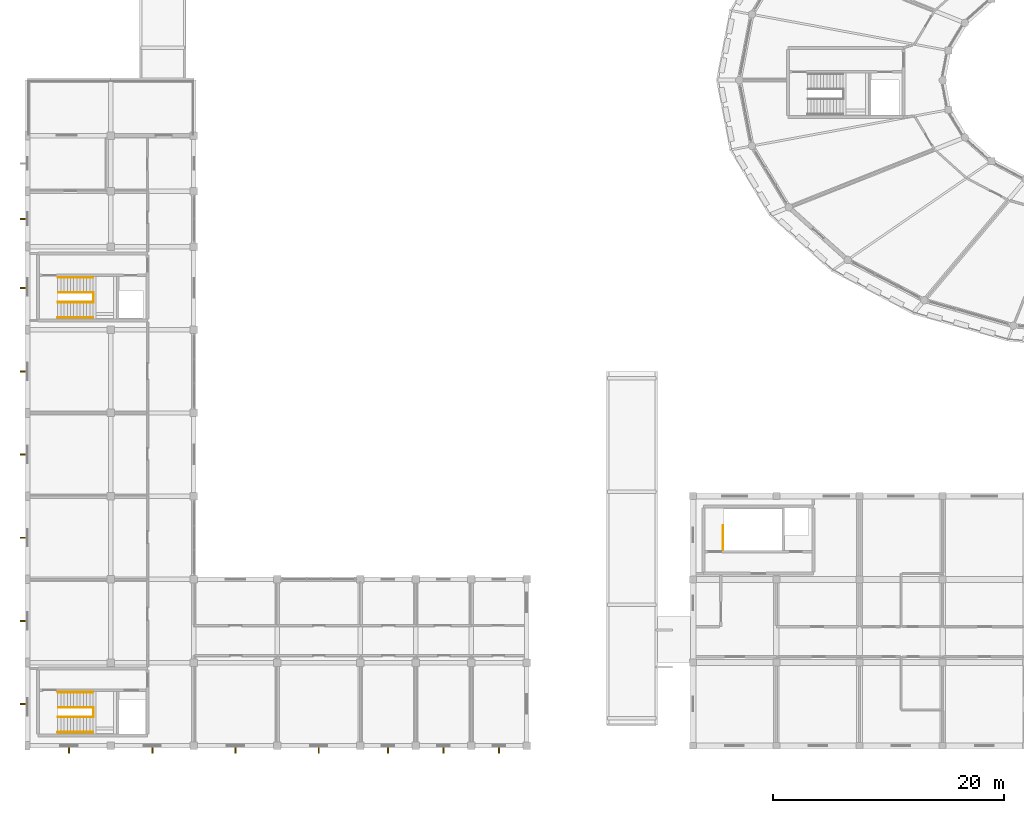
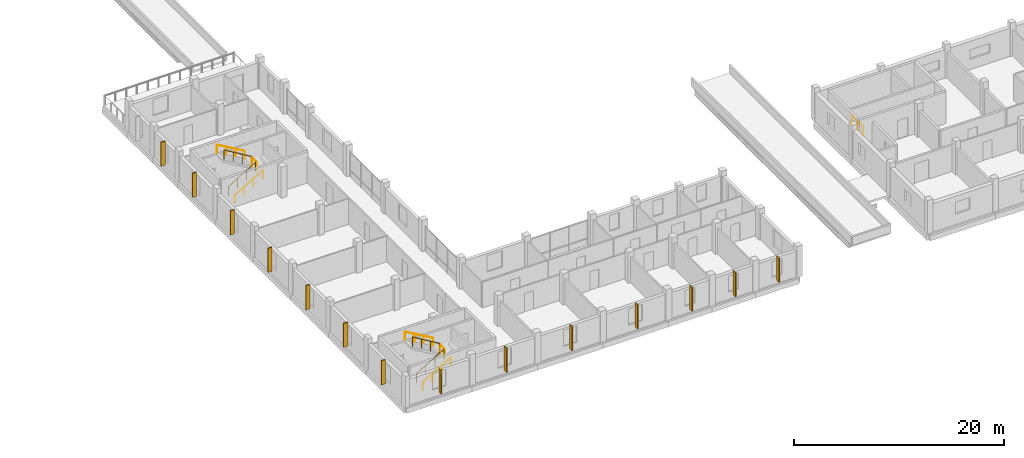
# One storey, part 86 of 93: 14 shading devices, 11 railings.
"""IFC4 building model written with IfcOpenShell, lengths in metres."""

import ifcopenshell
import ifcopenshell.guid

model = None  # the IFC model being written
_history = None  # IfcOwnerHistory: only IFC2X3 demands one
_inside = {}  # id of a spatial element -> (the spatial element, [elements in it])
_under = {}  # id of a project, library or spatial element -> (it, [spatial elements below it])
_declared = {}  # id of a project -> (the project, [libraries it declares])
_typed = {}  # id of a type object -> (the type object, [elements of that type])
_made_of = {}  # id of a material, layer set ... -> (it, [elements and type objects made of it])


def new_model(schema):
    """Start an empty IFC model of exactly this schema.

    Asked for "IFC4X3", IfcOpenShell would pick the latest addendum, in which some entities
    have other attributes; the version numbers below select the first issue.
    IFC2X3 requires an IfcOwnerHistory on every rooted entity: one is made here for all.
    """
    global model, _history
    if schema == "IFC4X3":
        model = ifcopenshell.file(schema_version=(4, 3, 0, 0))
    else:
        model = ifcopenshell.file(schema=schema)
    _inside.clear()
    _under.clear()
    _declared.clear()
    _typed.clear()
    _made_of.clear()
    _history = None
    if model.schema == "IFC2X3":
        org = make("IfcOrganization", Name="unknown")
        user = make(
            "IfcPersonAndOrganization",
            ThePerson=make("IfcPerson", FamilyName="unknown"),
            TheOrganization=org,
        )
        app = make(
            "IfcApplication",
            ApplicationDeveloper=org,
            Version="unknown",
            ApplicationFullName="unknown",
            ApplicationIdentifier="unknown",
        )
        _history = make(
            "IfcOwnerHistory",
            OwningUser=user,
            OwningApplication=app,
            ChangeAction="ADDED",
            CreationDate=0,
        )
    return model


def make(cls, **values):
    """One entity of the class cls with the attributes given. An attribute that is None is left unset."""
    return model.create_entity(
        cls, **{name: value for name, value in values.items() if value is not None}
    )


def rooted(cls, **values):
    """An entity with a GlobalId (a new one), such as an element, a storey or a relation."""
    return make(cls, GlobalId=ifcopenshell.guid.new(), OwnerHistory=_history, **values)


def si_unit(unit_type, name, prefix=None):
    """IfcSIUnit, for example si_unit("LENGTHUNIT", "METRE", prefix="MILLI")."""
    return make("IfcSIUnit", UnitType=unit_type, Prefix=prefix, Name=name)


def assignment(units):
    """IfcUnitAssignment: the units of a project."""
    return None if units is None else make("IfcUnitAssignment", Units=units)


def point(xyz):
    """IfcCartesianPoint."""
    return None if xyz is None else make("IfcCartesianPoint", Coordinates=xyz)


def direction(xyz):
    """IfcDirection."""
    return None if xyz is None else make("IfcDirection", DirectionRatios=xyz)


def frame(location, z_axis=None, x_axis=None):
    """IfcAxis2Placement3D, a coordinate frame: its origin and axes. An axis left out is left unset."""
    return make(
        "IfcAxis2Placement3D",
        Location=point(location),
        Axis=direction(z_axis),
        RefDirection=direction(x_axis),
    )


def frame_2d(location, x_axis=None):
    """IfcAxis2Placement2D, a coordinate frame in the plane: its origin and x axis."""
    return make(
        "IfcAxis2Placement2D", Location=point(location), RefDirection=direction(x_axis)
    )


def origin():
    """The frame at (0, 0, 0) with its axes left unset."""
    return frame((0.0, 0.0, 0.0))


def origin_2d():
    """The frame at (0, 0) in the plane with its x axis left unset."""
    return frame_2d((0.0, 0.0))


def place(relative_to, where):
    """IfcLocalPlacement: puts the frame where relative to a parent placement (None: the world)."""
    return make(
        "IfcLocalPlacement", PlacementRelTo=relative_to, RelativePlacement=where
    )


def context(
    kind, dimensions, precision=None, world=None, true_north=None, identifier=None
):
    """IfcGeometricRepresentationContext, for example the 3D "Model" context."""
    return make(
        "IfcGeometricRepresentationContext",
        ContextIdentifier=identifier,
        ContextType=kind,
        CoordinateSpaceDimension=dimensions,
        Precision=precision,
        WorldCoordinateSystem=world,
        TrueNorth=true_north,
    )


def subcontext(parent, identifier, kind, view, scale=None):
    """IfcGeometricRepresentationSubContext, for example "Body" below "Model"."""
    return make(
        "IfcGeometricRepresentationSubContext",
        ContextIdentifier=identifier,
        ContextType=kind,
        ParentContext=parent,
        TargetScale=scale,
        TargetView=view,
    )


def project(units=None, contexts=None):
    """IfcProject with its units and contexts."""
    return rooted(
        "IfcProject",
        Name="project",
        RepresentationContexts=contexts,
        UnitsInContext=assignment(units),
    )


def spatial(cls, under=None, at=None, **own):
    """A site, building, storey or space (cls), placed at a placement, below another one or the project."""
    s = rooted(cls, ObjectPlacement=at, **own)
    if under is not None:
        _under.setdefault(under.id(), (under, []))[1].append(s)
    return s


def profile(cls, at=None, kind="AREA", **sizes):
    """A parametric profile (cls). Its sizes go by their IFC names, for example OverallWidth=200.0."""
    return make(cls, ProfileType=kind, Position=at, **sizes)


def rectangle(**sizes):
    """IfcRectangleProfileDef."""
    return profile("IfcRectangleProfileDef", **sizes)


def circle(**sizes):
    """IfcCircleProfileDef."""
    return profile("IfcCircleProfileDef", **sizes)


def extrude(swept, where, along, depth):
    """IfcExtrudedAreaSolid: the profile swept, set in the frame where, extruded along a direction by depth."""
    return make(
        "IfcExtrudedAreaSolid",
        SweptArea=swept,
        Position=where,
        ExtrudedDirection=direction(along),
        Depth=depth,
    )


def shape(context_of_items, identifier, shape_type, items):
    """IfcShapeRepresentation: the items that make up one representation, for example the "Body"."""
    return make(
        "IfcShapeRepresentation",
        ContextOfItems=context_of_items,
        RepresentationIdentifier=identifier,
        RepresentationType=shape_type,
        Items=items,
    )


def material(Name=None, Category=None):
    """IfcMaterial."""
    return make("IfcMaterial", Name=Name, Category=Category)


def made_of(thing, what):
    """Note that an element or type object is made of a material, layer set ...; save() writes the relation."""
    if what is not None:
        _made_of.setdefault(what.id(), (what, []))[1].append(thing)
    return thing


def type_object(cls, material=None, **own):
    """A type object (cls), such as IfcWallType, which elements share."""
    return made_of(rooted(cls, **own), material)


def element(
    cls,
    number,
    at=None,
    inside=None,
    cuts=None,
    type_object=None,
    material=None,
    context=None,
    identifier="Body",
    shape_type=None,
    held_by="IfcProductDefinitionShape",
    body=None,
    shapes=None,
    **own,
):
    """One element of the class cls, such as IfcWall. Its Tag is "e" and its number.

    at: its placement. inside: the storey or other place that contains it. cuts: it is an
    opening in that element (IfcRelVoidsElement). A single representation is given by context,
    identifier, shape_type and body (its items); several are given by shapes. held_by: the class
    of the entity that holds the representations. save() writes the other relations.
    """
    e = rooted(cls, Tag="e%d" % number, ObjectPlacement=at, **own)
    if body is not None:
        shapes = [shape(context, identifier, shape_type, body)]
    if shapes is not None:
        e.Representation = make(held_by, Representations=shapes)
    if inside is not None:
        _inside.setdefault(inside.id(), (inside, []))[1].append(e)
    if cuts is not None:
        rooted(
            "IfcRelVoidsElement", RelatingBuildingElement=cuts, RelatedOpeningElement=e
        )
    if type_object is not None:
        _typed.setdefault(type_object.id(), (type_object, []))[1].append(e)
    return made_of(e, material)


def aggregate(whole, parts):
    """IfcRelAggregates: a whole, such as a stair, and the parts it consists of."""
    return rooted("IfcRelAggregates", RelatingObject=whole, RelatedObjects=parts)


def save(model, path):
    """Write the relations noted so far, then the file.

    IfcRelAggregates (storeys below a building ...), IfcRelContainedInSpatialStructure (elements
    in a storey), IfcRelDefinesByType, IfcRelAssociatesMaterial and IfcRelDeclares: one each for
    every whole, place, type object, material and project.
    """
    for whole, parts in _under.values():
        aggregate(whole, parts)
    for where, things in _inside.values():
        rooted(
            "IfcRelContainedInSpatialStructure",
            RelatedElements=things,
            RelatingStructure=where,
        )
    for kind, things in _typed.values():
        rooted("IfcRelDefinesByType", RelatedObjects=things, RelatingType=kind)
    for what, things in _made_of.values():
        rooted("IfcRelAssociatesMaterial", RelatedObjects=things, RelatingMaterial=what)
    for by, libraries in _declared.values():
        rooted("IfcRelDeclares", RelatingContext=by, RelatedDefinitions=libraries)
    model.write(path)


model = new_model("IFC4")

# Units and contexts
model_context = context("Model", 3, precision=1e-05, world=origin(), true_north=direction((0.0, 1.0)))
body_context = subcontext(model_context, "Body", "Model", "MODEL_VIEW")
ifc_project = project(units=[si_unit("LENGTHUNIT", "METRE"), si_unit("AREAUNIT", "SQUARE_METRE"), si_unit("VOLUMEUNIT", "CUBIC_METRE"), si_unit("PLANEANGLEUNIT", "RADIAN"), si_unit("MASSUNIT", "GRAM", prefix="KILO")], contexts=[model_context])

# Site, building, storey
site_placement = place(None, origin())
site = spatial("IfcSite", under=ifc_project, at=site_placement, CompositionType="ELEMENT")
building_placement = place(site_placement, origin())
building = spatial("IfcBuilding", under=site, at=building_placement, Name="Zornivar Specialist Clinic", CompositionType="ELEMENT")
storey_placement = place(building_placement, frame((0.0, 0.0, 8.39990234375)))
storey = spatial("IfcBuildingStorey", under=building, at=storey_placement, Name="L02", CompositionType="ELEMENT", Elevation=8.39990234375)

# Railings
ifc_material_1 = material(Name="Brushed Stainless Steel Stair Guardrail", Category="steel")
railing_type_1 = type_object("IfcRailingType", Name="GRD-INT-STAIR-1100", PredefinedType="GUARDRAIL", material=ifc_material_1)
railing_1_placement = place(storey_placement, frame((2.639892578125, 2.47998046875, 0.162109375)))
element("IfcRailing", 1, at=railing_1_placement, inside=storey, type_object=railing_type_1, Name="stair:C1:L02:grd1", PredefinedType="GUARDRAIL", context=body_context, shape_type="SweptSolid", body=[
    extrude(circle(Radius=0.02392578125, at=origin_2d()), frame((0.0, 0.0, 1.076171875), z_axis=(0.858994273335, 0.0, 0.511985193514), x_axis=(0.0, 1.0, 0.0)), (0.0, 0.0, 1.0), 3.492431640625),
    extrude(circle(Radius=0.02099609375, at=origin_2d()), origin(), (0.0, 0.0, 1.0), 1.052001953125),
    extrude(circle(Radius=0.02099609375, at=origin_2d()), frame((1.0, 0.0, 0.595947265625)), (0.0, 0.0, 1.0), 1.052001953125),
    extrude(circle(Radius=0.02099609375, at=origin_2d()), frame((2.0, 0.0, 1.192138671875)), (0.0, 0.0, 1.0), 1.052001953125),
    extrude(circle(Radius=0.02099609375, at=origin_2d()), frame((3.0, 0.0, 1.7880859375)), (0.0, 0.0, 1.0), 1.052001953125),
])
railing_2_placement = place(storey_placement, frame((5.639892578125, 3.320068359375, 2.112060546875)))
element("IfcRailing", 2, at=railing_2_placement, inside=storey, type_object=railing_type_1, Name="stair:C1:L02:grd2", PredefinedType="GUARDRAIL", context=body_context, shape_type="SweptSolid", body=[
    extrude(circle(Radius=0.02392578125, at=origin_2d()), frame((0.0, 0.0, 1.076171875), z_axis=(-0.857480528274, 0.0, 0.51451641726), x_axis=(0.0, -1.0, 0.0)), (0.0, 0.0, 1.0), 3.475341796875),
    extrude(circle(Radius=0.02099609375, at=origin_2d()), origin(), (0.0, 0.0, 1.0), 1.052001953125),
    extrude(circle(Radius=0.02099609375, at=origin_2d()), frame((-0.993408203125, 0.0, 0.595947265625)), (0.0, 0.0, 1.0), 1.052001953125),
    extrude(circle(Radius=0.02099609375, at=origin_2d()), frame((-1.986572265625, 0.0, 1.192138671875)), (0.0, 0.0, 1.0), 1.052001953125),
    extrude(circle(Radius=0.02099609375, at=origin_2d()), frame((-2.97998046875, 0.0, 1.7880859375)), (0.0, 0.0, 1.0), 1.052001953125),
])
railing_3_placement = place(storey_placement, frame((5.7099609375, 2.47998046875, 1.9501953125)))
element("IfcRailing", 3, at=railing_3_placement, inside=storey, type_object=railing_type_1, Name="stair:C1:L02:grdl", PredefinedType="GUARDRAIL", context=body_context, shape_type="SweptSolid", body=[
    extrude(circle(Radius=0.02392578125, at=origin_2d()), frame((0.0, 0.0, 1.076171875), z_axis=(0.0, 1.0, 0.0), x_axis=(-1.0, 0.0, 0.0)), (0.0, 0.0, 1.0), 0.840087890625),
    extrude(circle(Radius=0.02099609375, at=origin_2d()), origin(), (0.0, 0.0, 1.0), 1.052001953125),
    extrude(circle(Radius=0.02099609375, at=origin_2d()), frame((0.0, 0.840087890625, 0.0)), (0.0, 0.0, 1.0), 1.052001953125),
])
railing_4_placement = place(storey_placement, frame((2.639892578125, 38.3798828125, 0.162109375)))
element("IfcRailing", 4, at=railing_4_placement, inside=storey, type_object=railing_type_1, Name="stair:C2:L02:grd1", PredefinedType="GUARDRAIL", context=body_context, shape_type="SweptSolid", body=[
    extrude(circle(Radius=0.02392578125, at=origin_2d()), frame((0.0, 0.0, 1.076171875), z_axis=(0.858994273335, 0.0, 0.511985193514), x_axis=(0.0, 1.0, 0.0)), (0.0, 0.0, 1.0), 3.492431640625),
    extrude(circle(Radius=0.02099609375, at=origin_2d()), origin(), (0.0, 0.0, 1.0), 1.052001953125),
    extrude(circle(Radius=0.02099609375, at=origin_2d()), frame((1.0, 0.0, 0.595947265625)), (0.0, 0.0, 1.0), 1.052001953125),
    extrude(circle(Radius=0.02099609375, at=origin_2d()), frame((2.0, 0.0, 1.192138671875)), (0.0, 0.0, 1.0), 1.052001953125),
    extrude(circle(Radius=0.02099609375, at=origin_2d()), frame((3.0, 0.0, 1.7880859375)), (0.0, 0.0, 1.0), 1.052001953125),
])
railing_5_placement = place(storey_placement, frame((5.639892578125, 39.219970703125, 2.112060546875)))
element("IfcRailing", 5, at=railing_5_placement, inside=storey, type_object=railing_type_1, Name="stair:C2:L02:grd2", PredefinedType="GUARDRAIL", context=body_context, shape_type="SweptSolid", body=[
    extrude(circle(Radius=0.02392578125, at=origin_2d()), frame((0.0, 0.0, 1.076171875), z_axis=(-0.857480528274, 0.0, 0.51451641726), x_axis=(0.0, -1.0, 0.0)), (0.0, 0.0, 1.0), 3.475341796875),
    extrude(circle(Radius=0.02099609375, at=origin_2d()), origin(), (0.0, 0.0, 1.0), 1.052001953125),
    extrude(circle(Radius=0.02099609375, at=origin_2d()), frame((-0.993408203125, 0.0, 0.595947265625)), (0.0, 0.0, 1.0), 1.052001953125),
    extrude(circle(Radius=0.02099609375, at=origin_2d()), frame((-1.986572265625, 0.0, 1.192138671875)), (0.0, 0.0, 1.0), 1.052001953125),
    extrude(circle(Radius=0.02099609375, at=origin_2d()), frame((-2.97998046875, 0.0, 1.7880859375)), (0.0, 0.0, 1.0), 1.052001953125),
])
railing_6_placement = place(storey_placement, frame((5.7099609375, 38.3798828125, 1.9501953125)))
element("IfcRailing", 6, at=railing_6_placement, inside=storey, type_object=railing_type_1, Name="stair:C2:L02:grdl", PredefinedType="GUARDRAIL", context=body_context, shape_type="SweptSolid", body=[
    extrude(circle(Radius=0.02392578125, at=origin_2d()), frame((0.0, 0.0, 1.076171875), z_axis=(0.0, 1.0, 0.0), x_axis=(-1.0, 0.0, 0.0)), (0.0, 0.0, 1.0), 0.840087890625),
    extrude(circle(Radius=0.02099609375, at=origin_2d()), origin(), (0.0, 0.0, 1.0), 1.052001953125),
    extrude(circle(Radius=0.02099609375, at=origin_2d()), frame((0.0, 0.840087890625, 0.0)), (0.0, 0.0, 1.0), 1.052001953125),
])
railing_7_placement = place(storey_placement, frame((60.169921875, 16.9599609375, 0.0)))
element("IfcRailing", 7, at=railing_7_placement, inside=storey, type_object=railing_type_1, Name="sg:C5:L02:topwell", PredefinedType="GUARDRAIL", context=body_context, shape_type="SweptSolid", body=[
    extrude(circle(Radius=0.02392578125, at=origin_2d()), frame((0.0, 0.0, 1.076171875), z_axis=(0.0, 1.0, 0.0), x_axis=(-1.0, 0.0, 0.0)), (0.0, 0.0, 1.0), 2.1201171875),
    extrude(circle(Radius=0.02099609375, at=origin_2d()), origin(), (0.0, 0.0, 1.0), 1.052001953125),
    extrude(circle(Radius=0.02099609375, at=origin_2d()), frame((0.0, 1.06005859375, 0.0)), (0.0, 0.0, 1.0), 1.052001953125),
    extrude(circle(Radius=0.02099609375, at=origin_2d()), frame((0.0, 2.1201171875, 0.0)), (0.0, 0.0, 1.0), 1.052001953125),
])
ifc_material_2 = material(Name="Brushed Stainless Steel Continuous Handrail", Category="steel")
railing_type_2 = type_object("IfcRailingType", Name="HRL-STAIR-0920", PredefinedType="HANDRAIL", material=ifc_material_2)
railing_8_placement = place(storey_placement, frame((2.60009765625, 1.169921875, 0.162109375)))
element("IfcRailing", 8, at=railing_8_placement, inside=storey, type_object=railing_type_2, Name="stair:C1:L02:hr1", PredefinedType="HANDRAIL", context=body_context, shape_type="SweptSolid", body=[
    extrude(circle(Radius=0.02392578125, at=origin_2d()), frame((0.0, 0.0, 0.89599609375), z_axis=(0.864813913218, 0.0, 0.502092516877), x_axis=(0.0, 1.0, 0.0)), (0.0, 0.0, 1.0), 3.561279296875),
    extrude(circle(Radius=0.02099609375, at=origin_2d()), origin(), (0.0, 0.0, 1.0), 0.871826171875),
    extrude(circle(Radius=0.02099609375, at=origin_2d()), frame((1.026611328125, 0.0, 0.595947265625)), (0.0, 0.0, 1.0), 0.871826171875),
    extrude(circle(Radius=0.02099609375, at=origin_2d()), frame((2.05322265625, 0.0, 1.192138671875)), (0.0, 0.0, 1.0), 0.871826171875),
    extrude(circle(Radius=0.02099609375, at=origin_2d()), frame((3.079833984375, 0.0, 1.7880859375)), (0.0, 0.0, 1.0), 0.871826171875),
])
railing_9_placement = place(storey_placement, frame((5.679931640625, 4.6298828125, 2.112060546875)))
element("IfcRailing", 9, at=railing_9_placement, inside=storey, type_object=railing_type_2, Name="stair:C1:L02:hr2", PredefinedType="HANDRAIL", context=body_context, shape_type="SweptSolid", body=[
    extrude(circle(Radius=0.02392578125, at=origin_2d()), frame((0.0, 0.0, 0.89599609375), z_axis=(-0.863386364223, 0.0, 0.504543344097), x_axis=(0.0, -1.0, 0.0)), (0.0, 0.0, 1.0), 3.5439453125),
    extrude(circle(Radius=0.02099609375, at=origin_2d()), origin(), (0.0, 0.0, 1.0), 0.871826171875),
    extrude(circle(Radius=0.02099609375, at=origin_2d()), frame((-1.02001953125, 0.0, 0.595947265625)), (0.0, 0.0, 1.0), 0.871826171875),
    extrude(circle(Radius=0.02099609375, at=origin_2d()), frame((-2.039794921875, 0.0, 1.192138671875)), (0.0, 0.0, 1.0), 0.871826171875),
    extrude(circle(Radius=0.02099609375, at=origin_2d()), frame((-3.059814453125, 0.0, 1.7880859375)), (0.0, 0.0, 1.0), 0.871826171875),
])
railing_10_placement = place(storey_placement, frame((2.60009765625, 37.070068359375, 0.162109375)))
element("IfcRailing", 10, at=railing_10_placement, inside=storey, type_object=railing_type_2, Name="stair:C2:L02:hr1", PredefinedType="HANDRAIL", context=body_context, shape_type="SweptSolid", body=[
    extrude(circle(Radius=0.02392578125, at=origin_2d()), frame((0.0, 0.0, 0.89599609375), z_axis=(0.864813913218, 0.0, 0.502092516877), x_axis=(0.0, 1.0, 0.0)), (0.0, 0.0, 1.0), 3.561279296875),
    extrude(circle(Radius=0.02099609375, at=origin_2d()), origin(), (0.0, 0.0, 1.0), 0.871826171875),
    extrude(circle(Radius=0.02099609375, at=origin_2d()), frame((1.026611328125, 0.0, 0.595947265625)), (0.0, 0.0, 1.0), 0.871826171875),
    extrude(circle(Radius=0.02099609375, at=origin_2d()), frame((2.05322265625, 0.0, 1.192138671875)), (0.0, 0.0, 1.0), 0.871826171875),
    extrude(circle(Radius=0.02099609375, at=origin_2d()), frame((3.079833984375, 0.0, 1.7880859375)), (0.0, 0.0, 1.0), 0.871826171875),
])
railing_11_placement = place(storey_placement, frame((5.679931640625, 40.530029296875, 2.112060546875)))
element("IfcRailing", 11, at=railing_11_placement, inside=storey, type_object=railing_type_2, Name="stair:C2:L02:hr2", PredefinedType="HANDRAIL", context=body_context, shape_type="SweptSolid", body=[
    extrude(circle(Radius=0.02392578125, at=origin_2d()), frame((0.0, 0.0, 0.89599609375), z_axis=(-0.863386364223, 0.0, 0.504543344097), x_axis=(0.0, -1.0, 0.0)), (0.0, 0.0, 1.0), 3.5439453125),
    extrude(circle(Radius=0.02099609375, at=origin_2d()), origin(), (0.0, 0.0, 1.0), 0.871826171875),
    extrude(circle(Radius=0.02099609375, at=origin_2d()), frame((-1.02001953125, 0.0, 0.595947265625)), (0.0, 0.0, 1.0), 0.871826171875),
    extrude(circle(Radius=0.02099609375, at=origin_2d()), frame((-2.039794921875, 0.0, 1.192138671875)), (0.0, 0.0, 1.0), 0.871826171875),
    extrude(circle(Radius=0.02099609375, at=origin_2d()), frame((-3.059814453125, 0.0, 1.7880859375)), (0.0, 0.0, 1.0), 0.871826171875),
])

# Shading devices
ifc_material_3 = material(Name="Oiled Larch and Bronze Solar Fin")
shading_device_type = type_object("IfcShadingDeviceType", Name="SHD-FACADE-FIN-450", PredefinedType="JALOUSIE", material=ifc_material_3)
for number, where, z_axis, x_axis, name in (
    (12, (3.60009765625, -0.405029296875, 0.39990234375), (0.0, 0.0, 1.0), (1.0, 0.0, 0.0), "fin:V2:L02:00"),
    (13, (10.800048828125, -0.405029296875, 0.39990234375), (0.0, 0.0, 1.0), (1.0, 0.0, 0.0), "fin:V2:L02:01"),
    (14, (18.0, -0.405029296875, 0.39990234375), (0.0, 0.0, 1.0), (1.0, 0.0, 0.0), "fin:V2:L02:02"),
    (15, (25.199951171875, -0.405029296875, 0.39990234375), (0.0, 0.0, 1.0), (1.0, 0.0, 0.0), "fin:V2:L02:03"),
    (16, (31.199951171875, -0.405029296875, 0.375), (0.0, 0.0, 1.0), (1.0, 0.0, 0.0), "fin:V2:L02:04"),
    (17, (36.0, -0.405029296875, 0.375), (0.0, 0.0, 1.0), (1.0, 0.0, 0.0), "fin:V2:L02:05"),
    (18, (40.800048828125, -0.405029296875, 0.375), (0.0, 0.0, 1.0), (1.0, 0.0, 0.0), "fin:V2:L02:06"),
    (19, (-0.405029296875, 45.60009765625, 0.375), (0.0, 0.0, 1.0), (0.0, -1.0, 0.0), "fin:V2:L02:23"),
    (20, (-0.405029296875, 39.60009765625, 0.39990234375), (0.0, 0.0, 1.0), (0.0, -1.0, 0.0), "fin:V2:L02:24"),
    (21, (-0.405029296875, 32.39990234375, 0.39990234375), (0.0, 0.0, 1.0), (0.0, -1.0, 0.0), "fin:V2:L02:25"),
    (22, (-0.405029296875, 25.199951171875, 0.39990234375), (0.0, 0.0, 1.0), (0.0, -1.0, 0.0), "fin:V2:L02:26"),
    (23, (-0.405029296875, 18.0, 0.39990234375), (0.0, 0.0, 1.0), (0.0, -1.0, 0.0), "fin:V2:L02:27"),
    (24, (-0.405029296875, 10.800048828125, 0.39990234375), (0.0, 0.0, 1.0), (0.0, -1.0, 0.0), "fin:V2:L02:28"),
    (25, (-0.405029296875, 3.60009765625, 0.39990234375), (0.0, 0.0, 1.0), (0.0, -1.0, 0.0), "fin:V2:L02:29"),
):
    element("IfcShadingDevice", number, at=place(storey_placement, frame(where, z_axis=z_axis, x_axis=x_axis)), inside=storey, type_object=shading_device_type, Name=name, PredefinedType="JALOUSIE", context=body_context, shape_type="SweptSolid", body=[
        extrude(rectangle(XDim=0.1201171875, YDim=0.449951171875, at=origin_2d()), origin(), (0.0, 0.0, 1.0), 2.800048828125),
    ])

save(model, "model.ifc")
